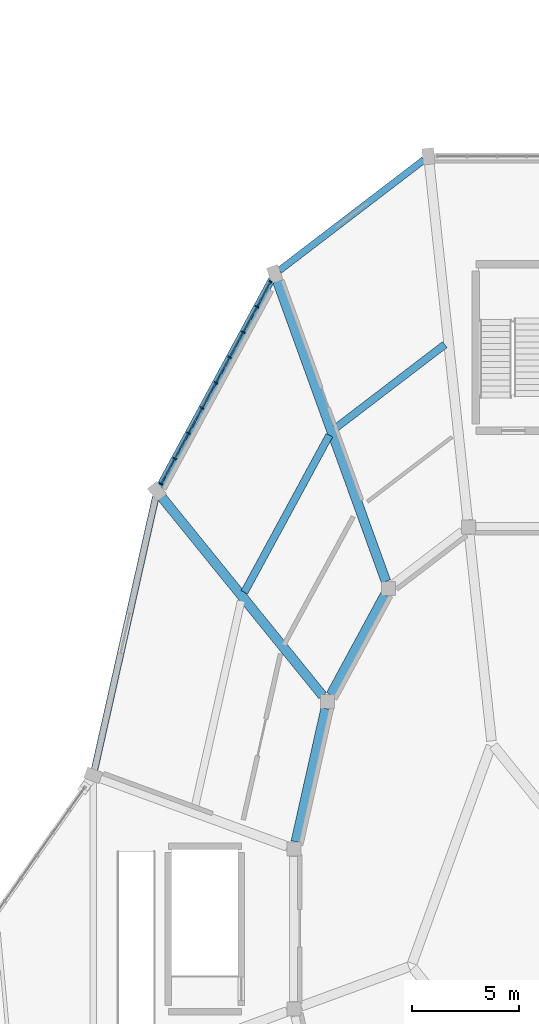
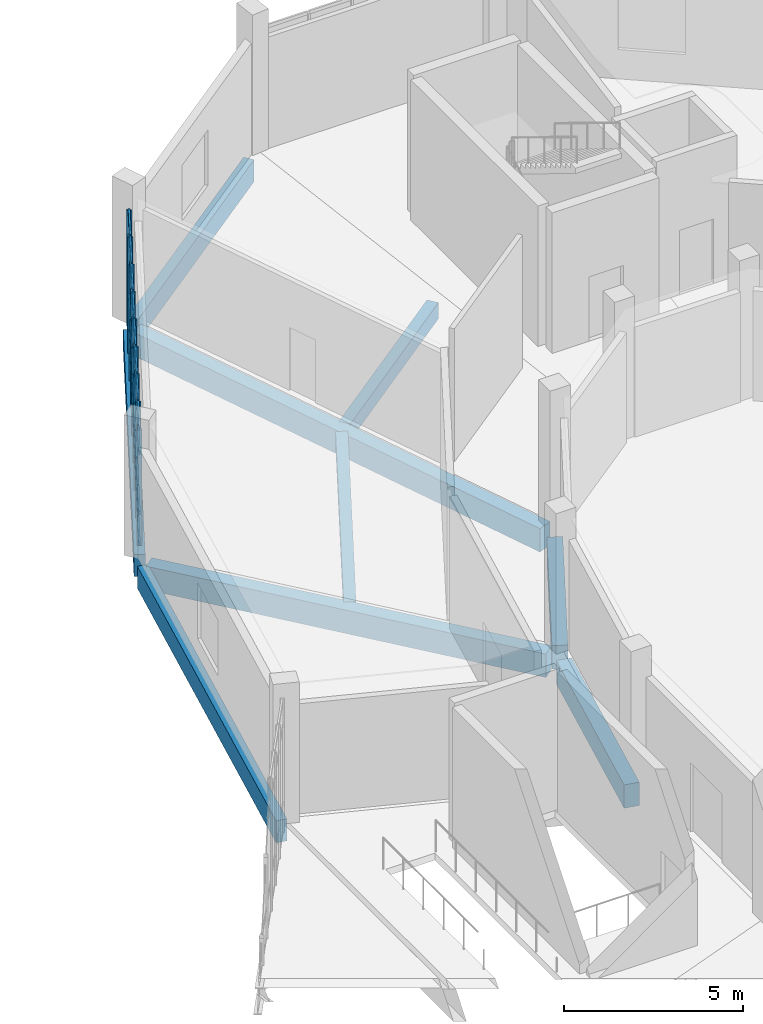
# One storey, part 64 of 179: 41 members, 9 beams, 1 element without a shape of its own.
"""IFC4 building model written with IfcOpenShell, lengths in metres."""

import ifcopenshell
import ifcopenshell.guid

model = None  # the IFC model being written
_history = None  # IfcOwnerHistory: only IFC2X3 demands one
_inside = {}  # id of a spatial element -> (the spatial element, [elements in it])
_under = {}  # id of a project, library or spatial element -> (it, [spatial elements below it])
_declared = {}  # id of a project -> (the project, [libraries it declares])
_typed = {}  # id of a type object -> (the type object, [elements of that type])
_made_of = {}  # id of a material, layer set ... -> (it, [elements and type objects made of it])


def new_model(schema):
    """Start an empty IFC model of exactly this schema.

    Asked for "IFC4X3", IfcOpenShell would pick the latest addendum, in which some entities
    have other attributes; the version numbers below select the first issue.
    IFC2X3 requires an IfcOwnerHistory on every rooted entity: one is made here for all.
    """
    global model, _history
    if schema == "IFC4X3":
        model = ifcopenshell.file(schema_version=(4, 3, 0, 0))
    else:
        model = ifcopenshell.file(schema=schema)
    _inside.clear()
    _under.clear()
    _declared.clear()
    _typed.clear()
    _made_of.clear()
    _history = None
    if model.schema == "IFC2X3":
        org = make("IfcOrganization", Name="unknown")
        user = make(
            "IfcPersonAndOrganization",
            ThePerson=make("IfcPerson", FamilyName="unknown"),
            TheOrganization=org,
        )
        app = make(
            "IfcApplication",
            ApplicationDeveloper=org,
            Version="unknown",
            ApplicationFullName="unknown",
            ApplicationIdentifier="unknown",
        )
        _history = make(
            "IfcOwnerHistory",
            OwningUser=user,
            OwningApplication=app,
            ChangeAction="ADDED",
            CreationDate=0,
        )
    return model


def make(cls, **values):
    """One entity of the class cls with the attributes given. An attribute that is None is left unset."""
    return model.create_entity(
        cls, **{name: value for name, value in values.items() if value is not None}
    )


def rooted(cls, **values):
    """An entity with a GlobalId (a new one), such as an element, a storey or a relation."""
    return make(cls, GlobalId=ifcopenshell.guid.new(), OwnerHistory=_history, **values)


def si_unit(unit_type, name, prefix=None):
    """IfcSIUnit, for example si_unit("LENGTHUNIT", "METRE", prefix="MILLI")."""
    return make("IfcSIUnit", UnitType=unit_type, Prefix=prefix, Name=name)


def assignment(units):
    """IfcUnitAssignment: the units of a project."""
    return None if units is None else make("IfcUnitAssignment", Units=units)


def point(xyz):
    """IfcCartesianPoint."""
    return None if xyz is None else make("IfcCartesianPoint", Coordinates=xyz)


def direction(xyz):
    """IfcDirection."""
    return None if xyz is None else make("IfcDirection", DirectionRatios=xyz)


def frame(location, z_axis=None, x_axis=None):
    """IfcAxis2Placement3D, a coordinate frame: its origin and axes. An axis left out is left unset."""
    return make(
        "IfcAxis2Placement3D",
        Location=point(location),
        Axis=direction(z_axis),
        RefDirection=direction(x_axis),
    )


def frame_2d(location, x_axis=None):
    """IfcAxis2Placement2D, a coordinate frame in the plane: its origin and x axis."""
    return make(
        "IfcAxis2Placement2D", Location=point(location), RefDirection=direction(x_axis)
    )


def origin():
    """The frame at (0, 0, 0) with its axes left unset."""
    return frame((0.0, 0.0, 0.0))


def origin_2d():
    """The frame at (0, 0) in the plane with its x axis left unset."""
    return frame_2d((0.0, 0.0))


def place(relative_to, where):
    """IfcLocalPlacement: puts the frame where relative to a parent placement (None: the world)."""
    return make(
        "IfcLocalPlacement", PlacementRelTo=relative_to, RelativePlacement=where
    )


def context(
    kind, dimensions, precision=None, world=None, true_north=None, identifier=None
):
    """IfcGeometricRepresentationContext, for example the 3D "Model" context."""
    return make(
        "IfcGeometricRepresentationContext",
        ContextIdentifier=identifier,
        ContextType=kind,
        CoordinateSpaceDimension=dimensions,
        Precision=precision,
        WorldCoordinateSystem=world,
        TrueNorth=true_north,
    )


def subcontext(parent, identifier, kind, view, scale=None):
    """IfcGeometricRepresentationSubContext, for example "Body" below "Model"."""
    return make(
        "IfcGeometricRepresentationSubContext",
        ContextIdentifier=identifier,
        ContextType=kind,
        ParentContext=parent,
        TargetScale=scale,
        TargetView=view,
    )


def project(units=None, contexts=None):
    """IfcProject with its units and contexts."""
    return rooted(
        "IfcProject",
        Name="project",
        RepresentationContexts=contexts,
        UnitsInContext=assignment(units),
    )


def spatial(cls, under=None, at=None, **own):
    """A site, building, storey or space (cls), placed at a placement, below another one or the project."""
    s = rooted(cls, ObjectPlacement=at, **own)
    if under is not None:
        _under.setdefault(under.id(), (under, []))[1].append(s)
    return s


def profile(cls, at=None, kind="AREA", **sizes):
    """A parametric profile (cls). Its sizes go by their IFC names, for example OverallWidth=200.0."""
    return make(cls, ProfileType=kind, Position=at, **sizes)


def rectangle(**sizes):
    """IfcRectangleProfileDef."""
    return profile("IfcRectangleProfileDef", **sizes)


def extrude(swept, where, along, depth):
    """IfcExtrudedAreaSolid: the profile swept, set in the frame where, extruded along a direction by depth."""
    return make(
        "IfcExtrudedAreaSolid",
        SweptArea=swept,
        Position=where,
        ExtrudedDirection=direction(along),
        Depth=depth,
    )


def shape(context_of_items, identifier, shape_type, items):
    """IfcShapeRepresentation: the items that make up one representation, for example the "Body"."""
    return make(
        "IfcShapeRepresentation",
        ContextOfItems=context_of_items,
        RepresentationIdentifier=identifier,
        RepresentationType=shape_type,
        Items=items,
    )


def material(Name=None, Category=None):
    """IfcMaterial."""
    return make("IfcMaterial", Name=Name, Category=Category)


def layer(
    of_material, thickness, ventilated=None, Name=None, Category=None, Priority=None
):
    """IfcMaterialLayer: one layer of a wall or slab, of a material (None: an air gap)."""
    return make(
        "IfcMaterialLayer",
        Material=of_material,
        LayerThickness=thickness,
        IsVentilated=ventilated,
        Name=Name,
        Category=Category,
        Priority=Priority,
    )


def layer_set(layers, Name=None):
    """IfcMaterialLayerSet."""
    return make("IfcMaterialLayerSet", MaterialLayers=layers, LayerSetName=Name)


def material_profile(
    of_material, cross_section, Name=None, Category=None, Priority=None
):
    """IfcMaterialProfile: a cross section and its material."""
    return make(
        "IfcMaterialProfile",
        Name=Name,
        Material=of_material,
        Profile=cross_section,
        Priority=Priority,
        Category=Category,
    )


def profile_set(profiles, Name=None, composite=None):
    """IfcMaterialProfileSet."""
    return make(
        "IfcMaterialProfileSet",
        Name=Name,
        MaterialProfiles=profiles,
        CompositeProfile=composite,
    )


def made_of(thing, what):
    """Note that an element or type object is made of a material, layer set ...; save() writes the relation."""
    if what is not None:
        _made_of.setdefault(what.id(), (what, []))[1].append(thing)
    return thing


def type_object(cls, material=None, **own):
    """A type object (cls), such as IfcWallType, which elements share."""
    return made_of(rooted(cls, **own), material)


def element(
    cls,
    number,
    at=None,
    inside=None,
    cuts=None,
    type_object=None,
    material=None,
    context=None,
    identifier="Body",
    shape_type=None,
    held_by="IfcProductDefinitionShape",
    body=None,
    shapes=None,
    **own,
):
    """One element of the class cls, such as IfcWall. Its Tag is "e" and its number.

    at: its placement. inside: the storey or other place that contains it. cuts: it is an
    opening in that element (IfcRelVoidsElement). A single representation is given by context,
    identifier, shape_type and body (its items); several are given by shapes. held_by: the class
    of the entity that holds the representations. save() writes the other relations.
    """
    e = rooted(cls, Tag="e%d" % number, ObjectPlacement=at, **own)
    if body is not None:
        shapes = [shape(context, identifier, shape_type, body)]
    if shapes is not None:
        e.Representation = make(held_by, Representations=shapes)
    if inside is not None:
        _inside.setdefault(inside.id(), (inside, []))[1].append(e)
    if cuts is not None:
        rooted(
            "IfcRelVoidsElement", RelatingBuildingElement=cuts, RelatedOpeningElement=e
        )
    if type_object is not None:
        _typed.setdefault(type_object.id(), (type_object, []))[1].append(e)
    return made_of(e, material)


def aggregate(whole, parts):
    """IfcRelAggregates: a whole, such as a stair, and the parts it consists of."""
    return rooted("IfcRelAggregates", RelatingObject=whole, RelatedObjects=parts)


def save(model, path):
    """Write the relations noted so far, then the file.

    IfcRelAggregates (storeys below a building ...), IfcRelContainedInSpatialStructure (elements
    in a storey), IfcRelDefinesByType, IfcRelAssociatesMaterial and IfcRelDeclares: one each for
    every whole, place, type object, material and project.
    """
    for whole, parts in _under.values():
        aggregate(whole, parts)
    for where, things in _inside.values():
        rooted(
            "IfcRelContainedInSpatialStructure",
            RelatedElements=things,
            RelatingStructure=where,
        )
    for kind, things in _typed.values():
        rooted("IfcRelDefinesByType", RelatedObjects=things, RelatingType=kind)
    for what, things in _made_of.values():
        rooted("IfcRelAssociatesMaterial", RelatedObjects=things, RelatingMaterial=what)
    for by, libraries in _declared.values():
        rooted("IfcRelDeclares", RelatingContext=by, RelatedDefinitions=libraries)
    model.write(path)


model = new_model("IFC4")

# Units and contexts
model_context = context("Model", 3, precision=1e-05, world=origin(), true_north=direction((0.0, 1.0)))
body_context = subcontext(model_context, "Body", "Model", "MODEL_VIEW")
ifc_project = project(units=[si_unit("LENGTHUNIT", "METRE"), si_unit("AREAUNIT", "SQUARE_METRE"), si_unit("VOLUMEUNIT", "CUBIC_METRE"), si_unit("PLANEANGLEUNIT", "RADIAN"), si_unit("MASSUNIT", "GRAM", prefix="KILO")], contexts=[model_context])

# Site, building, storey
site_placement = place(None, origin())
site = spatial("IfcSite", under=ifc_project, at=site_placement, CompositionType="ELEMENT")
building_placement = place(site_placement, origin())
building = spatial("IfcBuilding", under=site, at=building_placement, Name="Corvandel Quay Wholesale Market", CompositionType="ELEMENT")
storey_placement = place(building_placement, frame((0.0, 0.0, 6.0)))
storey = spatial("IfcBuildingStorey", under=building, at=storey_placement, Name="L01", CompositionType="ELEMENT", Elevation=6.0)

# Beams
ifc_material_1 = material(Name="Precast concrete C45/55", Category="concrete")
ifc_material_profile_1 = material_profile(ifc_material_1, rectangle(XDim=0.449951171875, YDim=0.800048828125, at=origin_2d()), Name="PC-GIR-450x800")
ifc_profile_set_1 = profile_set([ifc_material_profile_1], Name="Precast concrete C45/55")
beam_type_1 = type_object("IfcBeamType", Name="Auction Pavilion Girder G05 450x800", PredefinedType="USERDEFINED", material=ifc_profile_set_1)
beam_1_placement = place(storey_placement, frame((188.591796875, 75.566650390625, -0.639892578125), z_axis=(-0.476241586834, -0.879314477858, 0.0), x_axis=(0.879314477858, -0.476241586834, 0.0)))
element("IfcBeam", 1, at=beam_1_placement, inside=storey, type_object=beam_type_1, Name="Beam BM-0821", ObjectType="GIRDER", PredefinedType="USERDEFINED", context=body_context, shape_type="SweptSolid", body=[
    extrude(rectangle(XDim=0.449951171875, YDim=0.800048828125, at=origin_2d()), origin(), (0.0, 0.0, 1.0), 5.298583984375),
])
beam_2_placement = place(storey_placement, frame((183.5458984375, 90.26513671875, -0.639892578125), z_axis=(0.34033314867, -0.94030492284, 0.0), x_axis=(0.94030492284, 0.34033314867, 0.0)))
element("IfcBeam", 2, at=beam_2_placement, inside=storey, type_object=beam_type_1, Name="Beam BM-0822", ObjectType="GIRDER", PredefinedType="USERDEFINED", context=body_context, shape_type="SweptSolid", body=[
    extrude(rectangle(XDim=0.449951171875, YDim=0.800048828125, at=origin_2d()), origin(), (0.0, 0.0, 1.0), 14.964111328125),
])
beam_3_placement = place(storey_placement, frame((185.82861328125, 70.267333984375, -0.639892578125), z_axis=(-0.218994347001, -0.975726127549, 0.0), x_axis=(0.975726127549, -0.218994347001, 0.0)))
element("IfcBeam", 3, at=beam_3_placement, inside=storey, type_object=beam_type_1, Name="Beam BM-0832", ObjectType="GIRDER", PredefinedType="USERDEFINED", context=body_context, shape_type="SweptSolid", body=[
    extrude(rectangle(XDim=0.449951171875, YDim=0.800048828125, at=origin_2d()), origin(), (0.0, 0.0, 1.0), 6.361083984375),
])
beam_4_placement = place(storey_placement, frame((178.138916015625, 80.182373046875, -0.639892578125), z_axis=(0.629749475171, -0.776798299768, 0.0), x_axis=(0.776798299768, 0.629749475171, 0.0)))
element("IfcBeam", 4, at=beam_4_placement, inside=storey, type_object=beam_type_1, Name="Beam BM-0833", ObjectType="GIRDER", PredefinedType="USERDEFINED", context=body_context, shape_type="SweptSolid", body=[
    extrude(rectangle(XDim=0.449951171875, YDim=0.800048828125, at=origin_2d()), origin(), (0.0, 0.0, 1.0), 11.985595703125),
])

# Curtain wall, members
ifc_material_2 = material(Name="Bronze anodised aluminium and low-E insulated glazing", Category="aluminium")
ifc_layer = layer(ifc_material_2, 0.14990234375)
ifc_layer_set = layer_set([ifc_layer], Name="Bronze anodised aluminium and low-E insulated glazing")
curtain_wall_type = type_object("IfcCurtainWallType", Name="Stick Curtain Wall System CW15 H4350", PredefinedType="NOTDEFINED", material=ifc_layer_set)
curtain_wall_placement = place(storey_placement, origin())
curtain_wall = element("IfcCurtainWall", 5, at=curtain_wall_placement, inside=storey, type_object=curtain_wall_type, Name="Curtain Wall CW-0134", PredefinedType="NOTDEFINED")
ifc_material_3 = material(Name="Anodised aluminium 6063-T6", Category="aluminium")
ifc_material_profile_2 = material_profile(ifc_material_3, rectangle(XDim=0.06494140625, YDim=0.14990234375, at=origin_2d()), Name="ALU-MUL-65x150")
ifc_profile_set_2 = profile_set([ifc_material_profile_2], Name="Anodised aluminium 6063-T6")
member_type_1 = type_object("IfcMemberType", Name="Curtain Wall Mullion ML02 65x150", PredefinedType="MULLION", material=ifc_profile_set_2)
member_1_placement = place(storey_placement, frame((183.263427734375, 90.167236328125, 0.0), z_axis=(0.0, 0.0, 1.0), x_axis=(0.476238203668, 0.879316310191, 0.0)))
member_1 = element("IfcMember", 6, at=member_1_placement, type_object=member_type_1, Name="Mullion CW-0134-M00", PredefinedType="MULLION", context=body_context, shape_type="SweptSolid", body=[
    extrude(rectangle(XDim=0.06494140625, YDim=0.14990234375, at=origin_2d()), origin(), (0.0, 0.0, 1.0), 3.949951171875),
])
member_2_placement = place(storey_placement, frame((182.62548828125, 88.989501953125, 0.0), z_axis=(0.0, 0.0, 1.0), x_axis=(0.476238203668, 0.879316310191, 0.0)))
member_2 = element("IfcMember", 7, at=member_2_placement, type_object=member_type_1, Name="Mullion CW-0134-M01", PredefinedType="MULLION", context=body_context, shape_type="SweptSolid", body=[
    extrude(rectangle(XDim=0.06494140625, YDim=0.14990234375, at=origin_2d()), origin(), (0.0, 0.0, 1.0), 3.949951171875),
])
member_3_placement = place(storey_placement, frame((181.987548828125, 87.811279296875, 0.0), z_axis=(0.0, 0.0, 1.0), x_axis=(0.476238203668, 0.879316310191, 0.0)))
member_3 = element("IfcMember", 8, at=member_3_placement, type_object=member_type_1, Name="Mullion CW-0134-M02", PredefinedType="MULLION", context=body_context, shape_type="SweptSolid", body=[
    extrude(rectangle(XDim=0.06494140625, YDim=0.14990234375, at=origin_2d()), origin(), (0.0, 0.0, 1.0), 3.949951171875),
])
member_4_placement = place(storey_placement, frame((181.349609375, 86.63330078125, 0.0), z_axis=(0.0, 0.0, 1.0), x_axis=(0.476238203668, 0.879316310191, 0.0)))
member_4 = element("IfcMember", 9, at=member_4_placement, type_object=member_type_1, Name="Mullion CW-0134-M03", PredefinedType="MULLION", context=body_context, shape_type="SweptSolid", body=[
    extrude(rectangle(XDim=0.06494140625, YDim=0.14990234375, at=origin_2d()), origin(), (0.0, 0.0, 1.0), 3.949951171875),
])
member_5_placement = place(storey_placement, frame((180.71142578125, 85.45556640625, 0.0), z_axis=(0.0, 0.0, 1.0), x_axis=(0.476238203668, 0.879316310191, 0.0)))
member_5 = element("IfcMember", 10, at=member_5_placement, type_object=member_type_1, Name="Mullion CW-0134-M04", PredefinedType="MULLION", context=body_context, shape_type="SweptSolid", body=[
    extrude(rectangle(XDim=0.06494140625, YDim=0.14990234375, at=origin_2d()), origin(), (0.0, 0.0, 1.0), 3.949951171875),
])
member_6_placement = place(storey_placement, frame((180.073486328125, 84.277587890625, 0.0), z_axis=(0.0, 0.0, 1.0), x_axis=(0.476238203668, 0.879316310191, 0.0)))
member_6 = element("IfcMember", 11, at=member_6_placement, type_object=member_type_1, Name="Mullion CW-0134-M05", PredefinedType="MULLION", context=body_context, shape_type="SweptSolid", body=[
    extrude(rectangle(XDim=0.06494140625, YDim=0.14990234375, at=origin_2d()), origin(), (0.0, 0.0, 1.0), 3.949951171875),
])
member_7_placement = place(storey_placement, frame((179.435546875, 83.099609375, 0.0), z_axis=(0.0, 0.0, 1.0), x_axis=(0.476238203668, 0.879316310191, 0.0)))
member_7 = element("IfcMember", 12, at=member_7_placement, type_object=member_type_1, Name="Mullion CW-0134-M06", PredefinedType="MULLION", context=body_context, shape_type="SweptSolid", body=[
    extrude(rectangle(XDim=0.06494140625, YDim=0.14990234375, at=origin_2d()), origin(), (0.0, 0.0, 1.0), 3.949951171875),
])
member_8_placement = place(storey_placement, frame((178.797607421875, 81.921630859375, 0.0), z_axis=(0.0, 0.0, 1.0), x_axis=(0.476238203668, 0.879316310191, 0.0)))
member_8 = element("IfcMember", 13, at=member_8_placement, type_object=member_type_1, Name="Mullion CW-0134-M07", PredefinedType="MULLION", context=body_context, shape_type="SweptSolid", body=[
    extrude(rectangle(XDim=0.06494140625, YDim=0.14990234375, at=origin_2d()), origin(), (0.0, 0.0, 1.0), 3.949951171875),
])
member_9_placement = place(storey_placement, frame((178.159423828125, 80.74365234375, 0.0), z_axis=(0.0, 0.0, 1.0), x_axis=(0.476238203668, 0.879316310191, 0.0)))
member_9 = element("IfcMember", 14, at=member_9_placement, type_object=member_type_1, Name="Mullion CW-0134-M08", PredefinedType="MULLION", context=body_context, shape_type="SweptSolid", body=[
    extrude(rectangle(XDim=0.06494140625, YDim=0.14990234375, at=origin_2d()), origin(), (0.0, 0.0, 1.0), 3.949951171875),
])
ifc_material_profile_3 = material_profile(ifc_material_3, rectangle(XDim=0.06005859375, YDim=0.110107421875, at=origin_2d()), Name="ALU-TRN-60x110")
ifc_profile_set_3 = profile_set([ifc_material_profile_3], Name="Anodised aluminium 6063-T6")
member_type_2 = type_object("IfcMemberType", Name="Curtain Wall Transom TR02 60x110", PredefinedType="USERDEFINED", material=ifc_profile_set_3)
member_10_placement = place(storey_placement, frame((183.248046875, 90.138671875, 0.0), z_axis=(-0.476165907025, -0.879355462249, 0.0), x_axis=(0.879355462249, -0.476165907025, 0.0)))
member_10 = element("IfcMember", 15, at=member_10_placement, type_object=member_type_2, Name="Transom CW-0134-T00-0", ObjectType="TRANSOM", PredefinedType="USERDEFINED", context=body_context, shape_type="SweptSolid", body=[
    extrude(rectangle(XDim=0.06005859375, YDim=0.110107421875, at=origin_2d()), origin(), (0.0, 0.0, 1.0), 1.274658203125),
])
member_11_placement = place(storey_placement, frame((183.248046875, 90.138671875, 1.050048828125), z_axis=(-0.476165907025, -0.879355462249, 0.0), x_axis=(0.879355462249, -0.476165907025, 0.0)))
member_11 = element("IfcMember", 16, at=member_11_placement, type_object=member_type_2, Name="Transom CW-0134-T00-1", ObjectType="TRANSOM", PredefinedType="USERDEFINED", context=body_context, shape_type="SweptSolid", body=[
    extrude(rectangle(XDim=0.06005859375, YDim=0.110107421875, at=origin_2d()), origin(), (0.0, 0.0, 1.0), 1.274658203125),
])
member_12_placement = place(storey_placement, frame((183.248046875, 90.138671875, 3.10009765625), z_axis=(-0.476165907025, -0.879355462249, 0.0), x_axis=(0.879355462249, -0.476165907025, 0.0)))
member_12 = element("IfcMember", 17, at=member_12_placement, type_object=member_type_2, Name="Transom CW-0134-T00-2", ObjectType="TRANSOM", PredefinedType="USERDEFINED", context=body_context, shape_type="SweptSolid", body=[
    extrude(rectangle(XDim=0.06005859375, YDim=0.110107421875, at=origin_2d()), origin(), (0.0, 0.0, 1.0), 1.274658203125),
])
member_13_placement = place(storey_placement, frame((183.248046875, 90.138671875, 3.949951171875), z_axis=(-0.476165907025, -0.879355462249, 0.0), x_axis=(0.879355462249, -0.476165907025, 0.0)))
member_13 = element("IfcMember", 18, at=member_13_placement, type_object=member_type_2, Name="Transom CW-0134-T00-3", ObjectType="TRANSOM", PredefinedType="USERDEFINED", context=body_context, shape_type="SweptSolid", body=[
    extrude(rectangle(XDim=0.06005859375, YDim=0.110107421875, at=origin_2d()), origin(), (0.0, 0.0, 1.0), 1.274658203125),
])
member_14_placement = place(storey_placement, frame((182.610107421875, 88.960693359375, 0.0), z_axis=(-0.476394220214, -0.87923179364, 0.0), x_axis=(0.87923179364, -0.476394220214, 0.0)))
member_14 = element("IfcMember", 19, at=member_14_placement, type_object=member_type_2, Name="Transom CW-0134-T01-0", ObjectType="TRANSOM", PredefinedType="USERDEFINED", context=body_context, shape_type="SweptSolid", body=[
    extrude(rectangle(XDim=0.06005859375, YDim=0.110107421875, at=origin_2d()), origin(), (0.0, 0.0, 1.0), 1.2744140625),
])
member_15_placement = place(storey_placement, frame((182.610107421875, 88.960693359375, 1.050048828125), z_axis=(-0.476394220214, -0.87923179364, 0.0), x_axis=(0.87923179364, -0.476394220214, 0.0)))
member_15 = element("IfcMember", 20, at=member_15_placement, type_object=member_type_2, Name="Transom CW-0134-T01-1", ObjectType="TRANSOM", PredefinedType="USERDEFINED", context=body_context, shape_type="SweptSolid", body=[
    extrude(rectangle(XDim=0.06005859375, YDim=0.110107421875, at=origin_2d()), origin(), (0.0, 0.0, 1.0), 1.2744140625),
])
member_16_placement = place(storey_placement, frame((182.610107421875, 88.960693359375, 3.10009765625), z_axis=(-0.476394220214, -0.87923179364, 0.0), x_axis=(0.87923179364, -0.476394220214, 0.0)))
member_16 = element("IfcMember", 21, at=member_16_placement, type_object=member_type_2, Name="Transom CW-0134-T01-2", ObjectType="TRANSOM", PredefinedType="USERDEFINED", context=body_context, shape_type="SweptSolid", body=[
    extrude(rectangle(XDim=0.06005859375, YDim=0.110107421875, at=origin_2d()), origin(), (0.0, 0.0, 1.0), 1.2744140625),
])
member_17_placement = place(storey_placement, frame((182.610107421875, 88.960693359375, 3.949951171875), z_axis=(-0.476394220214, -0.87923179364, 0.0), x_axis=(0.87923179364, -0.476394220214, 0.0)))
member_17 = element("IfcMember", 22, at=member_17_placement, type_object=member_type_2, Name="Transom CW-0134-T01-3", ObjectType="TRANSOM", PredefinedType="USERDEFINED", context=body_context, shape_type="SweptSolid", body=[
    extrude(rectangle(XDim=0.06005859375, YDim=0.110107421875, at=origin_2d()), origin(), (0.0, 0.0, 1.0), 1.2744140625),
])
member_18_placement = place(storey_placement, frame((181.971923828125, 87.78271484375, 0.0), z_axis=(-0.476246119582, -0.879312022881, 0.0), x_axis=(0.879312022881, -0.476246119582, 0.0)))
member_18 = element("IfcMember", 23, at=member_18_placement, type_object=member_type_2, Name="Transom CW-0134-T02-0", ObjectType="TRANSOM", PredefinedType="USERDEFINED", context=body_context, shape_type="SweptSolid", body=[
    extrude(rectangle(XDim=0.06005859375, YDim=0.110107421875, at=origin_2d()), origin(), (0.0, 0.0, 1.0), 1.2744140625),
])
member_19_placement = place(storey_placement, frame((181.971923828125, 87.78271484375, 1.050048828125), z_axis=(-0.476246119582, -0.879312022881, 0.0), x_axis=(0.879312022881, -0.476246119582, 0.0)))
member_19 = element("IfcMember", 24, at=member_19_placement, type_object=member_type_2, Name="Transom CW-0134-T02-1", ObjectType="TRANSOM", PredefinedType="USERDEFINED", context=body_context, shape_type="SweptSolid", body=[
    extrude(rectangle(XDim=0.06005859375, YDim=0.110107421875, at=origin_2d()), origin(), (0.0, 0.0, 1.0), 1.2744140625),
])
member_20_placement = place(storey_placement, frame((181.971923828125, 87.78271484375, 3.10009765625), z_axis=(-0.476246119582, -0.879312022881, 0.0), x_axis=(0.879312022881, -0.476246119582, 0.0)))
member_20 = element("IfcMember", 25, at=member_20_placement, type_object=member_type_2, Name="Transom CW-0134-T02-2", ObjectType="TRANSOM", PredefinedType="USERDEFINED", context=body_context, shape_type="SweptSolid", body=[
    extrude(rectangle(XDim=0.06005859375, YDim=0.110107421875, at=origin_2d()), origin(), (0.0, 0.0, 1.0), 1.2744140625),
])
member_21_placement = place(storey_placement, frame((181.971923828125, 87.78271484375, 3.949951171875), z_axis=(-0.476246119582, -0.879312022881, 0.0), x_axis=(0.879312022881, -0.476246119582, 0.0)))
member_21 = element("IfcMember", 26, at=member_21_placement, type_object=member_type_2, Name="Transom CW-0134-T02-3", ObjectType="TRANSOM", PredefinedType="USERDEFINED", context=body_context, shape_type="SweptSolid", body=[
    extrude(rectangle(XDim=0.06005859375, YDim=0.110107421875, at=origin_2d()), origin(), (0.0, 0.0, 1.0), 1.2744140625),
])
member_22_placement = place(storey_placement, frame((181.333984375, 86.60498046875, 0.0), z_axis=(-0.476165907025, -0.879355462249, 0.0), x_axis=(0.879355462249, -0.476165907025, 0.0)))
member_22 = element("IfcMember", 27, at=member_22_placement, type_object=member_type_2, Name="Transom CW-0134-T03-0", ObjectType="TRANSOM", PredefinedType="USERDEFINED", context=body_context, shape_type="SweptSolid", body=[
    extrude(rectangle(XDim=0.06005859375, YDim=0.110107421875, at=origin_2d()), origin(), (0.0, 0.0, 1.0), 1.274658203125),
])
member_23_placement = place(storey_placement, frame((181.333984375, 86.60498046875, 1.050048828125), z_axis=(-0.476165907025, -0.879355462249, 0.0), x_axis=(0.879355462249, -0.476165907025, 0.0)))
member_23 = element("IfcMember", 28, at=member_23_placement, type_object=member_type_2, Name="Transom CW-0134-T03-1", ObjectType="TRANSOM", PredefinedType="USERDEFINED", context=body_context, shape_type="SweptSolid", body=[
    extrude(rectangle(XDim=0.06005859375, YDim=0.110107421875, at=origin_2d()), origin(), (0.0, 0.0, 1.0), 1.274658203125),
])
member_24_placement = place(storey_placement, frame((181.333984375, 86.60498046875, 3.10009765625), z_axis=(-0.476165907025, -0.879355462249, 0.0), x_axis=(0.879355462249, -0.476165907025, 0.0)))
member_24 = element("IfcMember", 29, at=member_24_placement, type_object=member_type_2, Name="Transom CW-0134-T03-2", ObjectType="TRANSOM", PredefinedType="USERDEFINED", context=body_context, shape_type="SweptSolid", body=[
    extrude(rectangle(XDim=0.06005859375, YDim=0.110107421875, at=origin_2d()), origin(), (0.0, 0.0, 1.0), 1.274658203125),
])
member_25_placement = place(storey_placement, frame((181.333984375, 86.60498046875, 3.949951171875), z_axis=(-0.476165907025, -0.879355462249, 0.0), x_axis=(0.879355462249, -0.476165907025, 0.0)))
member_25 = element("IfcMember", 30, at=member_25_placement, type_object=member_type_2, Name="Transom CW-0134-T03-3", ObjectType="TRANSOM", PredefinedType="USERDEFINED", context=body_context, shape_type="SweptSolid", body=[
    extrude(rectangle(XDim=0.06005859375, YDim=0.110107421875, at=origin_2d()), origin(), (0.0, 0.0, 1.0), 1.274658203125),
])
member_26_placement = place(storey_placement, frame((180.696044921875, 85.427001953125, 0.0), z_axis=(-0.476165907025, -0.879355462249, 0.0), x_axis=(0.879355462249, -0.476165907025, 0.0)))
member_26 = element("IfcMember", 31, at=member_26_placement, type_object=member_type_2, Name="Transom CW-0134-T04-0", ObjectType="TRANSOM", PredefinedType="USERDEFINED", context=body_context, shape_type="SweptSolid", body=[
    extrude(rectangle(XDim=0.06005859375, YDim=0.110107421875, at=origin_2d()), origin(), (0.0, 0.0, 1.0), 1.274658203125),
])
member_27_placement = place(storey_placement, frame((180.696044921875, 85.427001953125, 1.050048828125), z_axis=(-0.476165907025, -0.879355462249, 0.0), x_axis=(0.879355462249, -0.476165907025, 0.0)))
member_27 = element("IfcMember", 32, at=member_27_placement, type_object=member_type_2, Name="Transom CW-0134-T04-1", ObjectType="TRANSOM", PredefinedType="USERDEFINED", context=body_context, shape_type="SweptSolid", body=[
    extrude(rectangle(XDim=0.06005859375, YDim=0.110107421875, at=origin_2d()), origin(), (0.0, 0.0, 1.0), 1.274658203125),
])
member_28_placement = place(storey_placement, frame((180.696044921875, 85.427001953125, 3.10009765625), z_axis=(-0.476165907025, -0.879355462249, 0.0), x_axis=(0.879355462249, -0.476165907025, 0.0)))
member_28 = element("IfcMember", 33, at=member_28_placement, type_object=member_type_2, Name="Transom CW-0134-T04-2", ObjectType="TRANSOM", PredefinedType="USERDEFINED", context=body_context, shape_type="SweptSolid", body=[
    extrude(rectangle(XDim=0.06005859375, YDim=0.110107421875, at=origin_2d()), origin(), (0.0, 0.0, 1.0), 1.274658203125),
])
member_29_placement = place(storey_placement, frame((180.696044921875, 85.427001953125, 3.949951171875), z_axis=(-0.476165907025, -0.879355462249, 0.0), x_axis=(0.879355462249, -0.476165907025, 0.0)))
member_29 = element("IfcMember", 34, at=member_29_placement, type_object=member_type_2, Name="Transom CW-0134-T04-3", ObjectType="TRANSOM", PredefinedType="USERDEFINED", context=body_context, shape_type="SweptSolid", body=[
    extrude(rectangle(XDim=0.06005859375, YDim=0.110107421875, at=origin_2d()), origin(), (0.0, 0.0, 1.0), 1.274658203125),
])
member_30_placement = place(storey_placement, frame((180.05810546875, 84.2490234375, 0.0), z_axis=(-0.47631399735, -0.879275256065, 0.0), x_axis=(0.879275256065, -0.47631399735, 0.0)))
member_30 = element("IfcMember", 35, at=member_30_placement, type_object=member_type_2, Name="Transom CW-0134-T05-0", ObjectType="TRANSOM", PredefinedType="USERDEFINED", context=body_context, shape_type="SweptSolid", body=[
    extrude(rectangle(XDim=0.06005859375, YDim=0.110107421875, at=origin_2d()), origin(), (0.0, 0.0, 1.0), 1.274658203125),
])
member_31_placement = place(storey_placement, frame((180.05810546875, 84.2490234375, 1.050048828125), z_axis=(-0.47631399735, -0.879275256065, 0.0), x_axis=(0.879275256065, -0.47631399735, 0.0)))
member_31 = element("IfcMember", 36, at=member_31_placement, type_object=member_type_2, Name="Transom CW-0134-T05-1", ObjectType="TRANSOM", PredefinedType="USERDEFINED", context=body_context, shape_type="SweptSolid", body=[
    extrude(rectangle(XDim=0.06005859375, YDim=0.110107421875, at=origin_2d()), origin(), (0.0, 0.0, 1.0), 1.274658203125),
])
member_32_placement = place(storey_placement, frame((180.05810546875, 84.2490234375, 3.10009765625), z_axis=(-0.47631399735, -0.879275256065, 0.0), x_axis=(0.879275256065, -0.47631399735, 0.0)))
member_32 = element("IfcMember", 37, at=member_32_placement, type_object=member_type_2, Name="Transom CW-0134-T05-2", ObjectType="TRANSOM", PredefinedType="USERDEFINED", context=body_context, shape_type="SweptSolid", body=[
    extrude(rectangle(XDim=0.06005859375, YDim=0.110107421875, at=origin_2d()), origin(), (0.0, 0.0, 1.0), 1.274658203125),
])
member_33_placement = place(storey_placement, frame((180.05810546875, 84.2490234375, 3.949951171875), z_axis=(-0.47631399735, -0.879275256065, 0.0), x_axis=(0.879275256065, -0.47631399735, 0.0)))
member_33 = element("IfcMember", 38, at=member_33_placement, type_object=member_type_2, Name="Transom CW-0134-T05-3", ObjectType="TRANSOM", PredefinedType="USERDEFINED", context=body_context, shape_type="SweptSolid", body=[
    extrude(rectangle(XDim=0.06005859375, YDim=0.110107421875, at=origin_2d()), origin(), (0.0, 0.0, 1.0), 1.274658203125),
])
member_34_placement = place(storey_placement, frame((179.419921875, 83.071044921875, 0.0), z_axis=(-0.476165907025, -0.879355462249, 0.0), x_axis=(0.879355462249, -0.476165907025, 0.0)))
member_34 = element("IfcMember", 39, at=member_34_placement, type_object=member_type_2, Name="Transom CW-0134-T06-0", ObjectType="TRANSOM", PredefinedType="USERDEFINED", context=body_context, shape_type="SweptSolid", body=[
    extrude(rectangle(XDim=0.06005859375, YDim=0.110107421875, at=origin_2d()), origin(), (0.0, 0.0, 1.0), 1.274658203125),
])
member_35_placement = place(storey_placement, frame((179.419921875, 83.071044921875, 1.050048828125), z_axis=(-0.476165907025, -0.879355462249, 0.0), x_axis=(0.879355462249, -0.476165907025, 0.0)))
member_35 = element("IfcMember", 40, at=member_35_placement, type_object=member_type_2, Name="Transom CW-0134-T06-1", ObjectType="TRANSOM", PredefinedType="USERDEFINED", context=body_context, shape_type="SweptSolid", body=[
    extrude(rectangle(XDim=0.06005859375, YDim=0.110107421875, at=origin_2d()), origin(), (0.0, 0.0, 1.0), 1.274658203125),
])
member_36_placement = place(storey_placement, frame((179.419921875, 83.071044921875, 3.10009765625), z_axis=(-0.476165907025, -0.879355462249, 0.0), x_axis=(0.879355462249, -0.476165907025, 0.0)))
member_36 = element("IfcMember", 41, at=member_36_placement, type_object=member_type_2, Name="Transom CW-0134-T06-2", ObjectType="TRANSOM", PredefinedType="USERDEFINED", context=body_context, shape_type="SweptSolid", body=[
    extrude(rectangle(XDim=0.06005859375, YDim=0.110107421875, at=origin_2d()), origin(), (0.0, 0.0, 1.0), 1.274658203125),
])
member_37_placement = place(storey_placement, frame((179.419921875, 83.071044921875, 3.949951171875), z_axis=(-0.476165907025, -0.879355462249, 0.0), x_axis=(0.879355462249, -0.476165907025, 0.0)))
member_37 = element("IfcMember", 42, at=member_37_placement, type_object=member_type_2, Name="Transom CW-0134-T06-3", ObjectType="TRANSOM", PredefinedType="USERDEFINED", context=body_context, shape_type="SweptSolid", body=[
    extrude(rectangle(XDim=0.06005859375, YDim=0.110107421875, at=origin_2d()), origin(), (0.0, 0.0, 1.0), 1.274658203125),
])
member_38_placement = place(storey_placement, frame((178.781982421875, 81.89306640625, 0.0), z_axis=(-0.476165907025, -0.879355462249, 0.0), x_axis=(0.879355462249, -0.476165907025, 0.0)))
member_38 = element("IfcMember", 43, at=member_38_placement, type_object=member_type_2, Name="Transom CW-0134-T07-0", ObjectType="TRANSOM", PredefinedType="USERDEFINED", context=body_context, shape_type="SweptSolid", body=[
    extrude(rectangle(XDim=0.06005859375, YDim=0.110107421875, at=origin_2d()), origin(), (0.0, 0.0, 1.0), 1.274658203125),
])
member_39_placement = place(storey_placement, frame((178.781982421875, 81.89306640625, 1.050048828125), z_axis=(-0.476165907025, -0.879355462249, 0.0), x_axis=(0.879355462249, -0.476165907025, 0.0)))
member_39 = element("IfcMember", 44, at=member_39_placement, type_object=member_type_2, Name="Transom CW-0134-T07-1", ObjectType="TRANSOM", PredefinedType="USERDEFINED", context=body_context, shape_type="SweptSolid", body=[
    extrude(rectangle(XDim=0.06005859375, YDim=0.110107421875, at=origin_2d()), origin(), (0.0, 0.0, 1.0), 1.274658203125),
])
member_40_placement = place(storey_placement, frame((178.781982421875, 81.89306640625, 3.10009765625), z_axis=(-0.476165907025, -0.879355462249, 0.0), x_axis=(0.879355462249, -0.476165907025, 0.0)))
member_40 = element("IfcMember", 45, at=member_40_placement, type_object=member_type_2, Name="Transom CW-0134-T07-2", ObjectType="TRANSOM", PredefinedType="USERDEFINED", context=body_context, shape_type="SweptSolid", body=[
    extrude(rectangle(XDim=0.06005859375, YDim=0.110107421875, at=origin_2d()), origin(), (0.0, 0.0, 1.0), 1.274658203125),
])
member_41_placement = place(storey_placement, frame((178.781982421875, 81.89306640625, 3.949951171875), z_axis=(-0.476165907025, -0.879355462249, 0.0), x_axis=(0.879355462249, -0.476165907025, 0.0)))
member_41 = element("IfcMember", 46, at=member_41_placement, type_object=member_type_2, Name="Transom CW-0134-T07-3", ObjectType="TRANSOM", PredefinedType="USERDEFINED", context=body_context, shape_type="SweptSolid", body=[
    extrude(rectangle(XDim=0.06005859375, YDim=0.110107421875, at=origin_2d()), origin(), (0.0, 0.0, 1.0), 1.274658203125),
])
aggregate(curtain_wall, [member_1, member_2, member_3, member_4, member_5, member_6, member_7, member_8, member_9, member_10, member_11, member_12, member_13, member_14, member_15, member_16, member_17, member_18, member_19, member_20, member_21, member_22, member_23, member_24, member_25, member_26, member_27, member_28, member_29, member_30, member_31, member_32, member_33, member_34, member_35, member_36, member_37, member_38, member_39, member_40, member_41])

# Beams
ifc_material_profile_4 = material_profile(ifc_material_1, rectangle(XDim=0.320068359375, YDim=0.75, at=origin_2d()), Name="PC-SPN-320x750")
ifc_profile_set_4 = profile_set([ifc_material_profile_4], Name="Precast concrete C45/55")
beam_type_2 = type_object("IfcBeamType", Name="Pavilion Precast Spandrel SP02 320x750", PredefinedType="SPANDREL", material=ifc_profile_set_4)
beam_5_placement = place(storey_placement, frame((190.406494140625, 95.8359375, -0.614990234375), z_axis=(-0.794345578607, -0.607466132182, 0.0), x_axis=(0.607466132182, -0.794345578607, 0.0)))
element("IfcBeam", 47, at=beam_5_placement, inside=storey, type_object=beam_type_2, Name="Beam BM-0809", PredefinedType="SPANDREL", context=body_context, shape_type="SweptSolid", body=[
    extrude(rectangle(XDim=0.320068359375, YDim=0.75, at=origin_2d()), origin(), (0.0, 0.0, 1.0), 8.482421875),
])
beam_6_placement = place(storey_placement, frame((183.325439453125, 90.281494140625, -0.614990234375), z_axis=(-0.476252338863, -0.879308654414, 0.0), x_axis=(0.879308654414, -0.476252338863, 0.0)))
element("IfcBeam", 48, at=beam_6_placement, inside=storey, type_object=beam_type_2, Name="Beam BM-0820", PredefinedType="SPANDREL", context=body_context, shape_type="SweptSolid", body=[
    extrude(rectangle(XDim=0.320068359375, YDim=0.75, at=origin_2d()), origin(), (0.0, 0.0, 1.0), 10.976806640625),
])
beam_7_placement = place(storey_placement, frame((177.909912109375, 80.128662109375, -0.614990234375), z_axis=(-0.218953092988, -0.975735385784, 0.0), x_axis=(0.975735385784, -0.218953092988, 0.0)))
element("IfcBeam", 49, at=beam_7_placement, inside=storey, type_object=beam_type_2, Name="Beam BM-0831", PredefinedType="SPANDREL", context=body_context, shape_type="SweptSolid", body=[
    extrude(rectangle(XDim=0.320068359375, YDim=0.75, at=origin_2d()), origin(), (0.0, 0.0, 1.0), 13.020263671875),
])
ifc_material_profile_5 = material_profile(ifc_material_1, rectangle(XDim=0.35009765625, YDim=0.550048828125, at=origin_2d()), Name="PC-BM-350x550")
ifc_profile_set_5 = profile_set([ifc_material_profile_5], Name="Precast concrete C45/55")
beam_type_3 = type_object("IfcBeamType", Name="Standard Floor Secondary Beam B03 350x550", PredefinedType="BEAM", material=ifc_profile_set_5)
beam_8_placement = place(storey_placement, frame((191.381103515625, 87.2294921875, -0.514892578125), z_axis=(-0.794335189832, -0.607479716694, 0.0), x_axis=(0.607479716694, -0.794335189832, 0.0)))
element("IfcBeam", 50, at=beam_8_placement, inside=storey, type_object=beam_type_3, Name="Beam BM-0812", PredefinedType="BEAM", context=body_context, shape_type="SweptSolid", body=[
    extrude(rectangle(XDim=0.35009765625, YDim=0.550048828125, at=origin_2d()), origin(), (0.0, 0.0, 1.0), 6.427001953125),
])
beam_9_placement = place(storey_placement, frame((186.002685546875, 83.00537109375, -0.514892578125), z_axis=(-0.476260468975, -0.879304250923, 0.0), x_axis=(0.879304250923, -0.476260468975, 0.0)))
element("IfcBeam", 51, at=beam_9_placement, inside=storey, type_object=beam_type_3, Name="Beam BM-0823", PredefinedType="BEAM", context=body_context, shape_type="SweptSolid", body=[
    extrude(rectangle(XDim=0.35009765625, YDim=0.550048828125, at=origin_2d()), origin(), (0.0, 0.0, 1.0), 8.322998046875),
])

save(model, "model.ifc")
